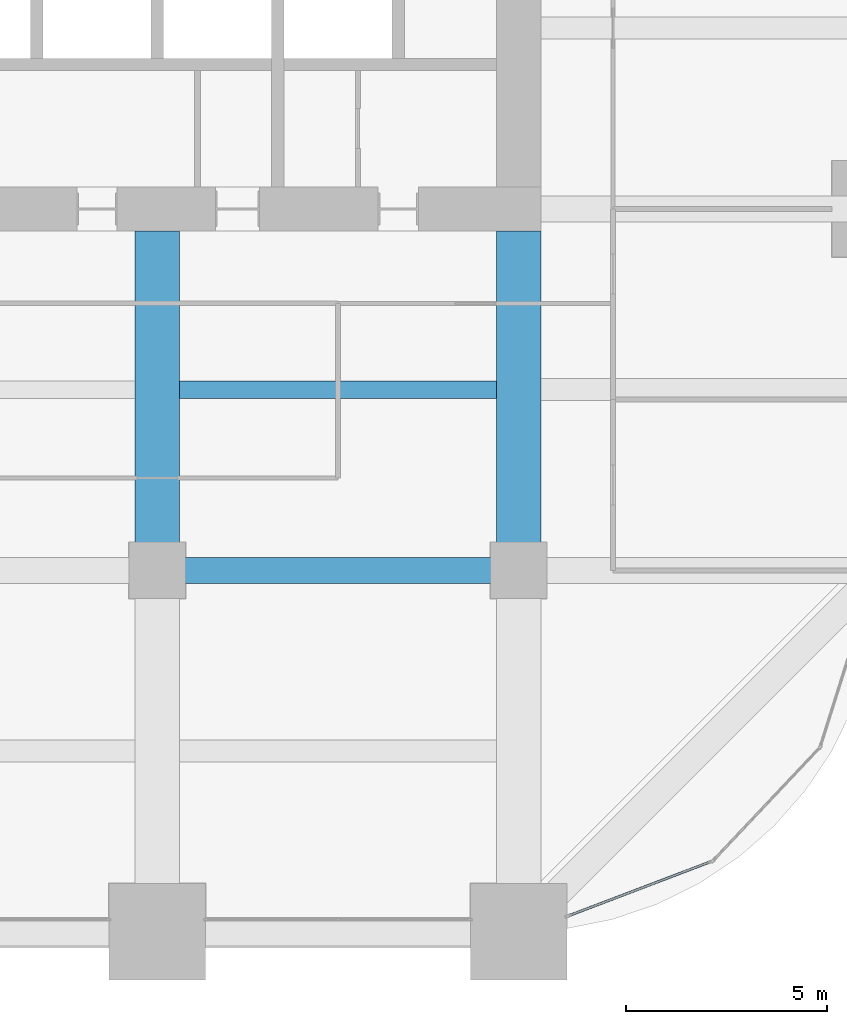
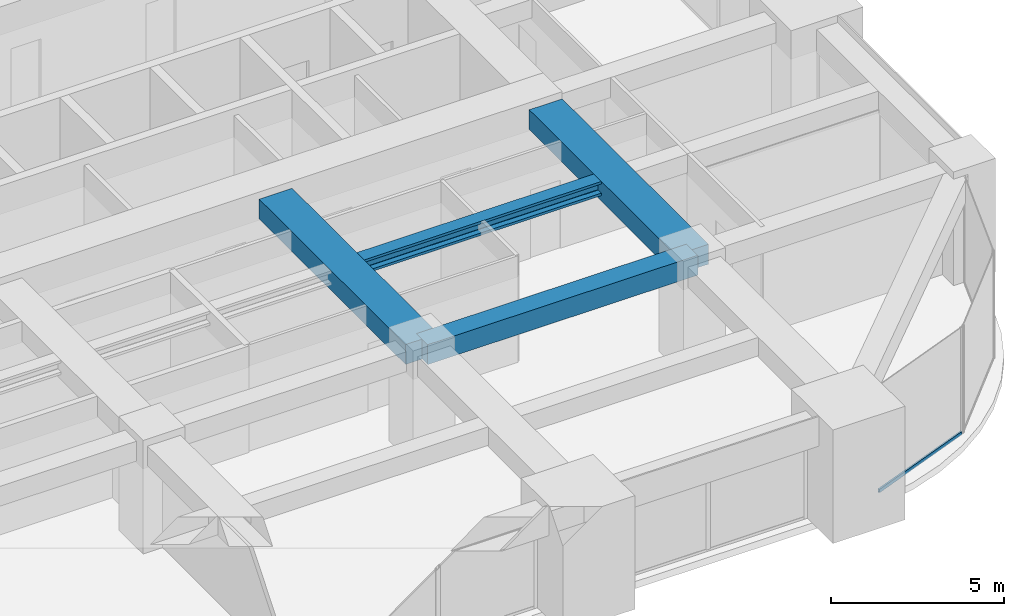
# One storey, part 15 of 32: 4 beams, 1 member, 1 element without a shape of its own.
"""IFC4 building model written with IfcOpenShell, lengths in metres."""

from ifc_helpers import new_model, si_unit, direction, frame, origin, origin_2d, place, context, subcontext, project, spatial, rectangle, hollow_rectangle, i_section, extrude, material, material_profile, profile_set, type_object, element, aggregate, save


model = new_model("IFC4")

# Units and contexts
model_context = context("Model", 3, precision=1e-05, world=origin(), true_north=direction((0.0, 1.0)))
body_context = subcontext(model_context, "Body", "Model", "MODEL_VIEW")
ifc_project = project(units=[si_unit("LENGTHUNIT", "METRE"), si_unit("AREAUNIT", "SQUARE_METRE"), si_unit("VOLUMEUNIT", "CUBIC_METRE"), si_unit("PLANEANGLEUNIT", "RADIAN"), si_unit("MASSUNIT", "GRAM", prefix="KILO")], contexts=[model_context])

# Site, building, storey
site_placement = place(None, origin())
site = spatial("IfcSite", under=ifc_project, at=site_placement, CompositionType="ELEMENT")
building_placement = place(site_placement, origin())
building = spatial("IfcBuilding", under=site, at=building_placement, Name="Zorevar Civic Tower", CompositionType="ELEMENT")
storey_placement = place(building_placement, frame((0.0, 0.0, 202.199951171875)))
storey = spatial("IfcBuildingStorey", under=building, at=storey_placement, Name="L49", CompositionType="ELEMENT", Elevation=202.199951171875)

# Beams
ifc_material_1 = material(Name="Concrete C50/60", Category="concrete")
ifc_material_profile_1 = material_profile(ifc_material_1, rectangle(XDim=1.10009765625, YDim=0.699951171875, at=origin_2d()), Name="RC 1100x700")
ifc_profile_set_1 = profile_set([ifc_material_profile_1], Name="Concrete C50/60")
beam_type_1 = type_object("IfcBeamType", Name="Beam RC 1100x700", PredefinedType="BEAM", material=ifc_profile_set_1)
for number, where, z_axis, x_axis, name in (
    (1, (36.0, 9.0, 3.400146484375), (0.0, 1.0, 0.0), (-1.0, 0.0, 0.0), "Girder L50"),
    (2, (45.0, 9.0, 3.400146484375), (0.0, 1.0, 0.0), (-1.0, 0.0, 0.0), "Girder L50"),
):
    element("IfcBeam", number, at=place(storey_placement, frame(where, z_axis=z_axis, x_axis=x_axis)), inside=storey, type_object=beam_type_1, Name=name, PredefinedType="BEAM", context=body_context, shape_type="SweptSolid", body=[
        extrude(rectangle(XDim=1.10009765625, YDim=0.699951171875, at=origin_2d()), origin(), (0.0, 0.0, 1.0), 8.449951171875),
    ])
ifc_material_2 = material(Name="Concrete C50/60", Category="concrete")
ifc_material_profile_2 = material_profile(ifc_material_2, rectangle(XDim=0.64990234375, YDim=0.699951171875, at=origin_2d()), Name="RC 650x700")
ifc_profile_set_2 = profile_set([ifc_material_profile_2], Name="Concrete C50/60")
beam_type_2 = type_object("IfcBeamType", Name="Beam RC 650x700", PredefinedType="BEAM", material=ifc_profile_set_2)
beam_1_placement = place(storey_placement, frame((36.0, 9.0, 3.400146484375), z_axis=(1.0, 0.0, 0.0), x_axis=(0.0, 1.0, 0.0)))
element("IfcBeam", 3, at=beam_1_placement, inside=storey, type_object=beam_type_2, Name="Girder L50", PredefinedType="BEAM", context=body_context, shape_type="SweptSolid", body=[
    extrude(rectangle(XDim=0.64990234375, YDim=0.699951171875, at=origin_2d()), origin(), (0.0, 0.0, 1.0), 9.0),
])

# Curtain wall, member
ifc_material_3 = material(Name="Dark grey solar-control glass in black aluminium frame", Category="aluminium")
curtain_wall_type = type_object("IfcCurtainWallType", Name="Curtain wall CW4 high zone", PredefinedType="NOTDEFINED", material=ifc_material_3)
curtain_wall_placement = place(storey_placement, origin())
curtain_wall = element("IfcCurtainWall", 4, at=curtain_wall_placement, inside=storey, type_object=curtain_wall_type, Name="CW4 L49", PredefinedType="NOTDEFINED")
ifc_material_4 = material(Name="Aluminium, black anodised", Category="aluminium")
ifc_material_profile_3 = material_profile(ifc_material_4, hollow_rectangle(XDim=0.06005859375, YDim=0.1201171875, WallThickness=0.0029296875, at=origin_2d()), Name="AL 120x60x3")
ifc_profile_set_3 = profile_set([ifc_material_profile_3], Name="Aluminium, black anodised")
member_type = type_object("IfcMemberType", Name="CW4 transom AL 120x60x3", PredefinedType="USERDEFINED", material=ifc_profile_set_3)
member_placement = place(storey_placement, frame((46.256103515625, 0.404541015625, 0.030029296875), z_axis=(0.934589335576, 0.355728511406, 0.0), x_axis=(-0.355728511406, 0.934589335576, 0.0)))
member = element("IfcMember", 5, at=member_placement, type_object=member_type, Name="CW4 sill transom", ObjectType="TRANSOM", PredefinedType="USERDEFINED", context=body_context, shape_type="SweptSolid", body=[
    extrude(hollow_rectangle(XDim=0.06005859375, YDim=0.1201171875, WallThickness=0.0029296875, at=origin_2d()), origin(), (0.0, 0.0, 1.0), 3.76708984375),
])
aggregate(curtain_wall, [member])

# Beam
ifc_material_5 = material(Name="Steel S460M (HISTAR 460)", Category="steel")
ifc_material_profile_4 = material_profile(ifc_material_5, i_section(OverallWidth=0.431884765625, OverallDepth=0.498046875, WebThickness=0.0556640625, FlangeThickness=0.0888671875, FilletRadius=0.014892578125, at=origin_2d()), Name="HD 400x744")
ifc_profile_set_4 = profile_set([ifc_material_profile_4], Name="Steel S460M (HISTAR 460)")
beam_type_3 = type_object("IfcBeamType", Name="Core bay beam HD 400x744", PredefinedType="BEAM", material=ifc_profile_set_4)
beam_2_placement = place(storey_placement, frame((36.550048828125, 13.5, 3.5009765625), z_axis=(1.0, 0.0, 0.0), x_axis=(0.0, 1.0, 0.0)))
element("IfcBeam", 6, at=beam_2_placement, inside=storey, type_object=beam_type_3, Name="Secondary beam L50", PredefinedType="BEAM", context=body_context, shape_type="SweptSolid", body=[
    extrude(i_section(OverallWidth=0.431884765625, OverallDepth=0.498046875, WebThickness=0.0556640625, FlangeThickness=0.0888671875, FilletRadius=0.014892578125, at=origin_2d()), origin(), (0.0, 0.0, 1.0), 7.89990234375),
])

save(model, "model.ifc")
